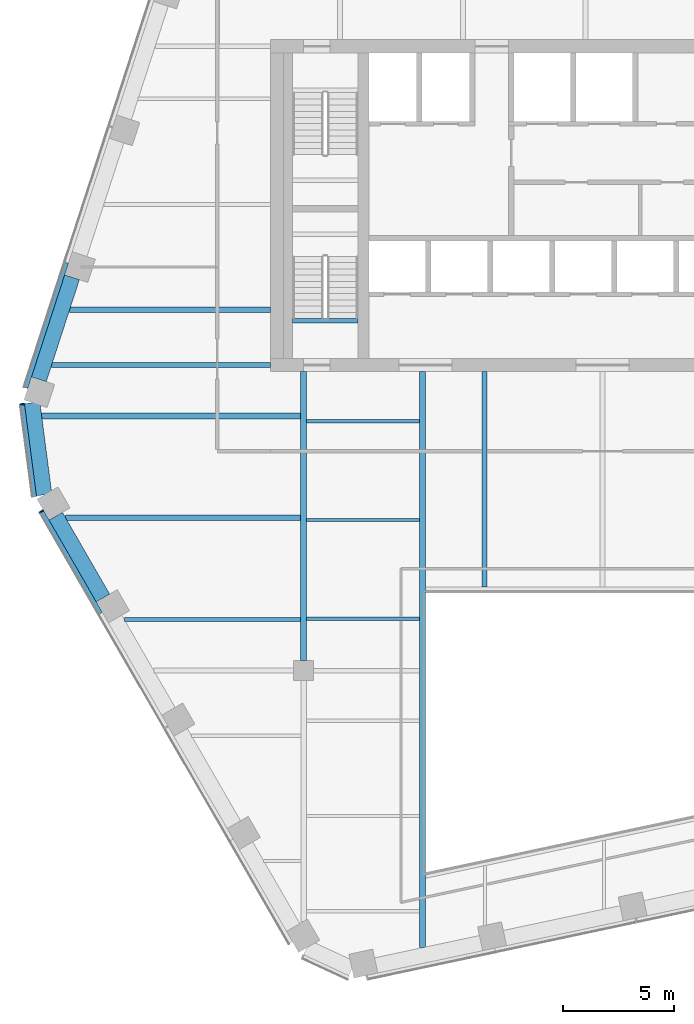
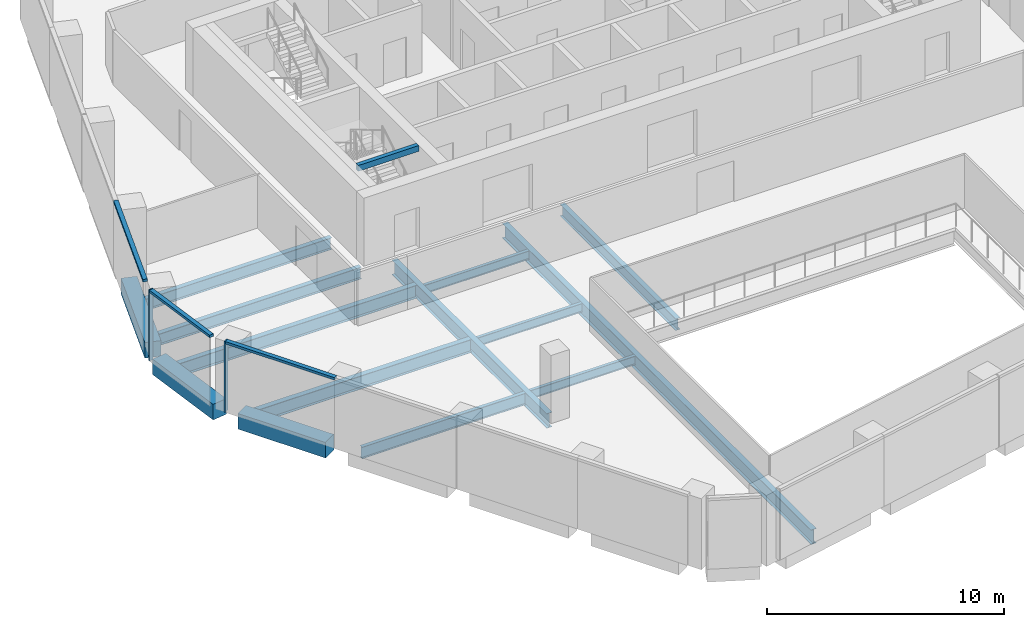
# One storey, part 3 of 15: 15 beams, 5 members, 3 elements without a shape of their own.
"""IFC4 building model written with IfcOpenShell, lengths in metres."""

import ifcopenshell
import ifcopenshell.guid

model = None  # the IFC model being written
_history = None  # IfcOwnerHistory: only IFC2X3 demands one
_inside = {}  # id of a spatial element -> (the spatial element, [elements in it])
_under = {}  # id of a project, library or spatial element -> (it, [spatial elements below it])
_declared = {}  # id of a project -> (the project, [libraries it declares])
_typed = {}  # id of a type object -> (the type object, [elements of that type])
_made_of = {}  # id of a material, layer set ... -> (it, [elements and type objects made of it])


def new_model(schema):
    """Start an empty IFC model of exactly this schema.

    Asked for "IFC4X3", IfcOpenShell would pick the latest addendum, in which some entities
    have other attributes; the version numbers below select the first issue.
    IFC2X3 requires an IfcOwnerHistory on every rooted entity: one is made here for all.
    """
    global model, _history
    if schema == "IFC4X3":
        model = ifcopenshell.file(schema_version=(4, 3, 0, 0))
    else:
        model = ifcopenshell.file(schema=schema)
    _inside.clear()
    _under.clear()
    _declared.clear()
    _typed.clear()
    _made_of.clear()
    _history = None
    if model.schema == "IFC2X3":
        org = make("IfcOrganization", Name="unknown")
        user = make(
            "IfcPersonAndOrganization",
            ThePerson=make("IfcPerson", FamilyName="unknown"),
            TheOrganization=org,
        )
        app = make(
            "IfcApplication",
            ApplicationDeveloper=org,
            Version="unknown",
            ApplicationFullName="unknown",
            ApplicationIdentifier="unknown",
        )
        _history = make(
            "IfcOwnerHistory",
            OwningUser=user,
            OwningApplication=app,
            ChangeAction="ADDED",
            CreationDate=0,
        )
    return model


def make(cls, **values):
    """One entity of the class cls with the attributes given. An attribute that is None is left unset."""
    return model.create_entity(
        cls, **{name: value for name, value in values.items() if value is not None}
    )


def rooted(cls, **values):
    """An entity with a GlobalId (a new one), such as an element, a storey or a relation."""
    return make(cls, GlobalId=ifcopenshell.guid.new(), OwnerHistory=_history, **values)


def si_unit(unit_type, name, prefix=None):
    """IfcSIUnit, for example si_unit("LENGTHUNIT", "METRE", prefix="MILLI")."""
    return make("IfcSIUnit", UnitType=unit_type, Prefix=prefix, Name=name)


def assignment(units):
    """IfcUnitAssignment: the units of a project."""
    return None if units is None else make("IfcUnitAssignment", Units=units)


def point(xyz):
    """IfcCartesianPoint."""
    return None if xyz is None else make("IfcCartesianPoint", Coordinates=xyz)


def direction(xyz):
    """IfcDirection."""
    return None if xyz is None else make("IfcDirection", DirectionRatios=xyz)


def frame(location, z_axis=None, x_axis=None):
    """IfcAxis2Placement3D, a coordinate frame: its origin and axes. An axis left out is left unset."""
    return make(
        "IfcAxis2Placement3D",
        Location=point(location),
        Axis=direction(z_axis),
        RefDirection=direction(x_axis),
    )


def frame_2d(location, x_axis=None):
    """IfcAxis2Placement2D, a coordinate frame in the plane: its origin and x axis."""
    return make(
        "IfcAxis2Placement2D", Location=point(location), RefDirection=direction(x_axis)
    )


def origin():
    """The frame at (0, 0, 0) with its axes left unset."""
    return frame((0.0, 0.0, 0.0))


def origin_2d():
    """The frame at (0, 0) in the plane with its x axis left unset."""
    return frame_2d((0.0, 0.0))


def place(relative_to, where):
    """IfcLocalPlacement: puts the frame where relative to a parent placement (None: the world)."""
    return make(
        "IfcLocalPlacement", PlacementRelTo=relative_to, RelativePlacement=where
    )


def context(
    kind, dimensions, precision=None, world=None, true_north=None, identifier=None
):
    """IfcGeometricRepresentationContext, for example the 3D "Model" context."""
    return make(
        "IfcGeometricRepresentationContext",
        ContextIdentifier=identifier,
        ContextType=kind,
        CoordinateSpaceDimension=dimensions,
        Precision=precision,
        WorldCoordinateSystem=world,
        TrueNorth=true_north,
    )


def subcontext(parent, identifier, kind, view, scale=None):
    """IfcGeometricRepresentationSubContext, for example "Body" below "Model"."""
    return make(
        "IfcGeometricRepresentationSubContext",
        ContextIdentifier=identifier,
        ContextType=kind,
        ParentContext=parent,
        TargetScale=scale,
        TargetView=view,
    )


def project(units=None, contexts=None):
    """IfcProject with its units and contexts."""
    return rooted(
        "IfcProject",
        Name="project",
        RepresentationContexts=contexts,
        UnitsInContext=assignment(units),
    )


def spatial(cls, under=None, at=None, **own):
    """A site, building, storey or space (cls), placed at a placement, below another one or the project."""
    s = rooted(cls, ObjectPlacement=at, **own)
    if under is not None:
        _under.setdefault(under.id(), (under, []))[1].append(s)
    return s


def profile(cls, at=None, kind="AREA", **sizes):
    """A parametric profile (cls). Its sizes go by their IFC names, for example OverallWidth=200.0."""
    return make(cls, ProfileType=kind, Position=at, **sizes)


def rectangle(**sizes):
    """IfcRectangleProfileDef."""
    return profile("IfcRectangleProfileDef", **sizes)


def i_section(**sizes):
    """IfcIShapeProfileDef."""
    return profile("IfcIShapeProfileDef", **sizes)


def extrude(swept, where, along, depth):
    """IfcExtrudedAreaSolid: the profile swept, set in the frame where, extruded along a direction by depth."""
    return make(
        "IfcExtrudedAreaSolid",
        SweptArea=swept,
        Position=where,
        ExtrudedDirection=direction(along),
        Depth=depth,
    )


def shape(context_of_items, identifier, shape_type, items):
    """IfcShapeRepresentation: the items that make up one representation, for example the "Body"."""
    return make(
        "IfcShapeRepresentation",
        ContextOfItems=context_of_items,
        RepresentationIdentifier=identifier,
        RepresentationType=shape_type,
        Items=items,
    )


def material(Name=None, Category=None):
    """IfcMaterial."""
    return make("IfcMaterial", Name=Name, Category=Category)


def layer(
    of_material, thickness, ventilated=None, Name=None, Category=None, Priority=None
):
    """IfcMaterialLayer: one layer of a wall or slab, of a material (None: an air gap)."""
    return make(
        "IfcMaterialLayer",
        Material=of_material,
        LayerThickness=thickness,
        IsVentilated=ventilated,
        Name=Name,
        Category=Category,
        Priority=Priority,
    )


def layer_set(layers, Name=None):
    """IfcMaterialLayerSet."""
    return make("IfcMaterialLayerSet", MaterialLayers=layers, LayerSetName=Name)


def material_profile(
    of_material, cross_section, Name=None, Category=None, Priority=None
):
    """IfcMaterialProfile: a cross section and its material."""
    return make(
        "IfcMaterialProfile",
        Name=Name,
        Material=of_material,
        Profile=cross_section,
        Priority=Priority,
        Category=Category,
    )


def profile_set(profiles, Name=None, composite=None):
    """IfcMaterialProfileSet."""
    return make(
        "IfcMaterialProfileSet",
        Name=Name,
        MaterialProfiles=profiles,
        CompositeProfile=composite,
    )


def made_of(thing, what):
    """Note that an element or type object is made of a material, layer set ...; save() writes the relation."""
    if what is not None:
        _made_of.setdefault(what.id(), (what, []))[1].append(thing)
    return thing


def type_object(cls, material=None, **own):
    """A type object (cls), such as IfcWallType, which elements share."""
    return made_of(rooted(cls, **own), material)


def element(
    cls,
    number,
    at=None,
    inside=None,
    cuts=None,
    type_object=None,
    material=None,
    context=None,
    identifier="Body",
    shape_type=None,
    held_by="IfcProductDefinitionShape",
    body=None,
    shapes=None,
    **own,
):
    """One element of the class cls, such as IfcWall. Its Tag is "e" and its number.

    at: its placement. inside: the storey or other place that contains it. cuts: it is an
    opening in that element (IfcRelVoidsElement). A single representation is given by context,
    identifier, shape_type and body (its items); several are given by shapes. held_by: the class
    of the entity that holds the representations. save() writes the other relations.
    """
    e = rooted(cls, Tag="e%d" % number, ObjectPlacement=at, **own)
    if body is not None:
        shapes = [shape(context, identifier, shape_type, body)]
    if shapes is not None:
        e.Representation = make(held_by, Representations=shapes)
    if inside is not None:
        _inside.setdefault(inside.id(), (inside, []))[1].append(e)
    if cuts is not None:
        rooted(
            "IfcRelVoidsElement", RelatingBuildingElement=cuts, RelatedOpeningElement=e
        )
    if type_object is not None:
        _typed.setdefault(type_object.id(), (type_object, []))[1].append(e)
    return made_of(e, material)


def aggregate(whole, parts):
    """IfcRelAggregates: a whole, such as a stair, and the parts it consists of."""
    return rooted("IfcRelAggregates", RelatingObject=whole, RelatedObjects=parts)


def save(model, path):
    """Write the relations noted so far, then the file.

    IfcRelAggregates (storeys below a building ...), IfcRelContainedInSpatialStructure (elements
    in a storey), IfcRelDefinesByType, IfcRelAssociatesMaterial and IfcRelDeclares: one each for
    every whole, place, type object, material and project.
    """
    for whole, parts in _under.values():
        aggregate(whole, parts)
    for where, things in _inside.values():
        rooted(
            "IfcRelContainedInSpatialStructure",
            RelatedElements=things,
            RelatingStructure=where,
        )
    for kind, things in _typed.values():
        rooted("IfcRelDefinesByType", RelatedObjects=things, RelatingType=kind)
    for what, things in _made_of.values():
        rooted("IfcRelAssociatesMaterial", RelatedObjects=things, RelatingMaterial=what)
    for by, libraries in _declared.values():
        rooted("IfcRelDeclares", RelatingContext=by, RelatedDefinitions=libraries)
    model.write(path)


model = new_model("IFC4")

# Units and contexts
model_context = context("Model", 3, precision=1e-05, world=origin(), true_north=direction((0.0, 1.0)))
body_context = subcontext(model_context, "Body", "Model", "MODEL_VIEW")
ifc_project = project(units=[si_unit("LENGTHUNIT", "METRE"), si_unit("AREAUNIT", "SQUARE_METRE"), si_unit("VOLUMEUNIT", "CUBIC_METRE"), si_unit("PLANEANGLEUNIT", "RADIAN"), si_unit("MASSUNIT", "GRAM", prefix="KILO")], contexts=[model_context])

# Site, building, storey
site_placement = place(None, origin())
site = spatial("IfcSite", under=ifc_project, at=site_placement, CompositionType="ELEMENT")
building_placement = place(site_placement, origin())
building = spatial("IfcBuilding", under=site, at=building_placement, Name="Isthmus Gate Tower", CompositionType="ELEMENT")
storey_placement = place(building_placement, frame((0.0, 0.0, 241.85009765625)))
storey = spatial("IfcBuildingStorey", under=building, at=storey_placement, Name="L61", CompositionType="ELEMENT", Elevation=241.85009765625)

# Curtain wall, member
ifc_material_1 = material(Name="Aluminium, pale champagne anodised", Category="aluminium")
ifc_layer = layer(ifc_material_1, 0.199951171875)
ifc_layer_set = layer_set([ifc_layer], Name="CW-1 UNITISED CURTAIN WALL 200 DEEP")
curtain_wall_type = type_object("IfcCurtainWallType", Name="CW-1 UNITISED CURTAIN WALL 200 DEEP", PredefinedType="NOTDEFINED", material=ifc_layer_set)
curtain_wall_1_placement = place(storey_placement, origin())
curtain_wall_1 = element("IfcCurtainWall", 1, at=curtain_wall_1_placement, inside=storey, type_object=curtain_wall_type, Name="CW-1 NW-SW L61", PredefinedType="NOTDEFINED")
ifc_material_2 = material(Name="Aluminium, pale champagne anodised", Category="aluminium")
ifc_material_profile_1 = material_profile(ifc_material_2, rectangle(XDim=0.06005859375, YDim=0.199951171875, at=origin_2d()), Name="60x200")
ifc_profile_set_1 = profile_set([ifc_material_profile_1], Name="Aluminium, pale champagne anodised")
member_type_1 = type_object("IfcMemberType", Name="CW-1 MULLION 60 X 200", PredefinedType="MULLION", material=ifc_profile_set_1)
member_1_placement = place(storey_placement, frame((-26.205322265625, -1.4658203125, 0.0), z_axis=(0.0, 0.0, 1.0), x_axis=(0.129164534, -0.991623175988, 0.0)))
member_1 = element("IfcMember", 2, at=member_1_placement, type_object=member_type_1, Name="CW-1 mullion", PredefinedType="MULLION", context=body_context, shape_type="SweptSolid", body=[
    extrude(rectangle(XDim=0.06005859375, YDim=0.199951171875, at=origin_2d()), origin(), (0.0, 0.0, 1.0), 3.64990234375),
])

curtain_wall_2_placement = place(storey_placement, origin())
curtain_wall_2 = element("IfcCurtainWall", 3, at=curtain_wall_2_placement, inside=storey, type_object=curtain_wall_type, Name="CW-1 SW L61", PredefinedType="NOTDEFINED")
member_2_placement = place(storey_placement, frame((-25.3427734375, -6.304931640625, 0.0), z_axis=(0.0, 0.0, 1.0), x_axis=(0.5, -0.866025403784, 0.0)))
member_2 = element("IfcMember", 4, at=member_2_placement, type_object=member_type_1, Name="CW-1 mullion", PredefinedType="MULLION", context=body_context, shape_type="SweptSolid", body=[
    extrude(rectangle(XDim=0.06005859375, YDim=0.199951171875, at=origin_2d()), origin(), (0.0, 0.0, 1.0), 3.64990234375),
])

curtain_wall_3_placement = place(storey_placement, origin())
curtain_wall_3 = element("IfcCurtainWall", 5, at=curtain_wall_3_placement, inside=storey, type_object=curtain_wall_type, Name="CW-1 NW L61", PredefinedType="NOTDEFINED")
ifc_material_3 = material(Name="Aluminium, pale champagne anodised", Category="aluminium")
ifc_material_profile_2 = material_profile(ifc_material_3, rectangle(XDim=0.199951171875, YDim=0.1298828125, at=origin_2d()), Name="200x130")
ifc_profile_set_2 = profile_set([ifc_material_profile_2], Name="Aluminium, pale champagne anodised")
member_type_2 = type_object("IfcMemberType", Name="CW-1 TRANSOM 200 X 130", PredefinedType="USERDEFINED", material=ifc_profile_set_2)
member_3_placement = place(storey_placement, frame((-24.217529296875, 4.92333984375, 3.5849609375), z_axis=(-0.309020108403, -0.951055504481, 0.0), x_axis=(0.951055504481, -0.309020108403, 0.0)))
member_3 = element("IfcMember", 6, at=member_3_placement, type_object=member_type_2, Name="CW-1 transom", ObjectType="TRANSOM", PredefinedType="USERDEFINED", context=body_context, shape_type="SweptSolid", body=[
    extrude(rectangle(XDim=0.199951171875, YDim=0.1298828125, at=origin_2d()), origin(), (0.0, 0.0, 1.0), 5.94189453125),
])
aggregate(curtain_wall_3, [member_3])

# Member
member_4_placement = place(storey_placement, frame((-26.20166015625, -1.495361328125, 3.5849609375), z_axis=(0.129206893318, -0.991617657527, 0.0), x_axis=(0.991617657527, 0.129206893318, 0.0)))
member_4 = element("IfcMember", 7, at=member_4_placement, type_object=member_type_2, Name="CW-1 transom", ObjectType="TRANSOM", PredefinedType="USERDEFINED", context=body_context, shape_type="SweptSolid", body=[
    extrude(rectangle(XDim=0.199951171875, YDim=0.1298828125, at=origin_2d()), origin(), (0.0, 0.0, 1.0), 4.181640625),
])

aggregate(curtain_wall_1, [member_1, member_4])

member_5_placement = place(storey_placement, frame((-25.327880859375, -6.3310546875, 3.5849609375), z_axis=(0.500022807565, -0.86601223543, 0.0), x_axis=(0.86601223543, 0.500022807565, 0.0)))
member_5 = element("IfcMember", 8, at=member_5_placement, type_object=member_type_2, Name="CW-1 transom", ObjectType="TRANSOM", PredefinedType="USERDEFINED", context=body_context, shape_type="SweptSolid", body=[
    extrude(rectangle(XDim=0.199951171875, YDim=0.1298828125, at=origin_2d()), origin(), (0.0, 0.0, 1.0), 5.300537109375),
])

aggregate(curtain_wall_2, [member_2, member_5])

# Beams
ifc_material_4 = material(Name="Concrete f'c 50 MPa", Category="concrete")
ifc_material_profile_3 = material_profile(ifc_material_4, rectangle(XDim=0.699951171875, YDim=0.800048828125, at=origin_2d()), Name="RC 700X800")
ifc_profile_set_3 = profile_set([ifc_material_profile_3], Name="Concrete f'c 50 MPa")
beam_type_1 = type_object("IfcBeamType", Name="RC SPANDREL 700 X 800", PredefinedType="SPANDREL", material=ifc_profile_set_3)
beam_1_placement = place(storey_placement, frame((-22.562744140625, -10.22021484375, -0.400146484375), z_axis=(-0.499996907167, 0.866027189425, 0.0), x_axis=(-0.866027189425, -0.499996907167, 0.0)))
element("IfcBeam", 9, at=beam_1_placement, inside=storey, type_object=beam_type_1, Name="str-spandrel-L61-19", PredefinedType="SPANDREL", context=body_context, shape_type="SweptSolid", body=[
    extrude(rectangle(XDim=0.699951171875, YDim=0.800048828125, at=origin_2d()), origin(), (0.0, 0.0, 1.0), 4.2607421875),
])
beam_2_placement = place(storey_placement, frame((-25.218017578125, -5.563232421875, -0.400146484375), z_axis=(-0.129137748309, 0.991626664608, 0.0), x_axis=(-0.991626664608, -0.129137748309, 0.0)))
element("IfcBeam", 10, at=beam_2_placement, inside=storey, type_object=beam_type_1, Name="str-spandrel-L61-20", PredefinedType="SPANDREL", context=body_context, shape_type="SweptSolid", body=[
    extrude(rectangle(XDim=0.699951171875, YDim=0.800048828125, at=origin_2d()), origin(), (0.0, 0.0, 1.0), 4.197021484375),
])
beam_3_placement = place(storey_placement, frame((-25.455810546875, -0.34375, -0.400146484375), z_axis=(0.309033626624, 0.951051111989, 0.0), x_axis=(-0.951051111989, 0.309033626624, 0.0)))
element("IfcBeam", 11, at=beam_3_placement, inside=storey, type_object=beam_type_1, Name="str-spandrel-L61-21", PredefinedType="SPANDREL", context=body_context, shape_type="SweptSolid", body=[
    extrude(rectangle(XDim=0.699951171875, YDim=0.800048828125, at=origin_2d()), origin(), (0.0, 0.0, 1.0), 4.842041015625),
])
ifc_material_5 = material(Name="Concrete f'c 40 MPa", Category="concrete")
ifc_material_profile_4 = material_profile(ifc_material_5, rectangle(XDim=0.199951171875, YDim=0.300048828125, at=origin_2d()), Name="STAIR LANDING BEAM RC 200 X 300")
ifc_profile_set_4 = profile_set([ifc_material_profile_4], Name="Concrete f'c 40 MPa")
beam_type_2 = type_object("IfcBeamType", Name="STAIR LANDING BEAM RC 200 X 300", PredefinedType="BEAM", material=ifc_profile_set_4)
beam_4_placement = place(storey_placement, frame((-14.0, 2.2998046875, 3.349853515625), z_axis=(1.0, 0.0, 0.0), x_axis=(0.0, 1.0, 0.0)))
element("IfcBeam", 12, at=beam_4_placement, inside=storey, type_object=beam_type_2, Name="L61 ST7 floor-edge seat beam", PredefinedType="BEAM", context=body_context, shape_type="SweptSolid", body=[
    extrude(rectangle(XDim=0.199951171875, YDim=0.300048828125, at=origin_2d()), origin(), (0.0, 0.0, 1.0), 2.949951171875),
])
ifc_material_6 = material(Name="Structural steel ASTM A992 Gr 50", Category="steel")
ifc_material_profile_5 = material_profile(ifc_material_6, i_section(OverallWidth=0.15234375, OverallDepth=0.45068359375, WebThickness=0.0078125, FlangeThickness=0.010986328125, at=origin_2d()), Name="W18X35")
ifc_profile_set_5 = profile_set([ifc_material_profile_5], Name="Structural steel ASTM A992 Gr 50")
beam_type_3 = type_object("IfcBeamType", Name="STEEL FLOOR BEAM W18X35", PredefinedType="JOIST", material=ifc_profile_set_5)
for number, where, z_axis, x_axis, name in (
    (13, (-13.3681640625, -11.16259765625, -0.37548828125), (1.0, 0.0, 0.0), (0.0, 1.0, 0.0), "str-beam-L61-03-00"),
    (14, (-13.3681640625, -6.697509765625, -0.37548828125), (1.0, 0.0, 0.0), (0.0, 1.0, 0.0), "str-beam-L61-03-01"),
    (15, (-13.3681640625, -2.232421875, -0.37548828125), (1.0, 0.0, 0.0), (0.0, 1.0, 0.0), "str-beam-L61-03-02"),
):
    element("IfcBeam", number, at=place(storey_placement, frame(where, z_axis=z_axis, x_axis=x_axis)), inside=storey, type_object=beam_type_3, Name=name, PredefinedType="JOIST", context=body_context, shape_type="SweptSolid", body=[
        extrude(i_section(OverallWidth=0.15234375, OverallDepth=0.45068359375, WebThickness=0.0078125, FlangeThickness=0.010986328125, at=origin_2d()), origin(), (0.0, 0.0, 1.0), 5.104736328125),
    ])
ifc_material_7 = material(Name="Structural steel ASTM A992 Gr 50", Category="steel")
ifc_material_profile_6 = material_profile(ifc_material_7, i_section(OverallWidth=0.177734375, OverallDepth=0.60009765625, WebThickness=0.009521484375, FlangeThickness=0.0126953125, at=origin_2d()), Name="W24X55")
ifc_profile_set_6 = profile_set([ifc_material_profile_6], Name="Structural steel ASTM A992 Gr 50")
beam_type_4 = type_object("IfcBeamType", Name="STEEL FLOOR BEAM W24X55", PredefinedType="JOIST", material=ifc_profile_set_6)
beam_5_placement = place(storey_placement, frame((-21.593017578125, -11.199951171875, -0.4501953125), z_axis=(1.0, 0.0, 0.0), x_axis=(0.0, 1.0, 0.0)))
element("IfcBeam", 16, at=beam_5_placement, inside=storey, type_object=beam_type_4, Name="str-beam-L61-01-00", PredefinedType="JOIST", context=body_context, shape_type="SweptSolid", body=[
    extrude(i_section(OverallWidth=0.177734375, OverallDepth=0.60009765625, WebThickness=0.009521484375, FlangeThickness=0.0126953125, at=origin_2d()), origin(), (0.0, 0.0, 1.0), 7.961181640625),
])
ifc_material_8 = material(Name="Structural steel ASTM A992 Gr 50", Category="steel")
ifc_material_profile_7 = material_profile(ifc_material_8, i_section(OverallWidth=0.228515625, OverallDepth=0.603271484375, WebThickness=0.010986328125, FlangeThickness=0.014404296875, at=origin_2d()), Name="W24X68")
ifc_profile_set_7 = profile_set([ifc_material_profile_7], Name="Structural steel ASTM A992 Gr 50")
beam_type_5 = type_object("IfcBeamType", Name="STEEL FLOOR BEAM W24X68", PredefinedType="JOIST", material=ifc_profile_set_7)
beam_6_placement = place(storey_placement, frame((-24.06787109375, 2.795166015625, -0.45166015625), z_axis=(1.0, 0.0, 0.0), x_axis=(0.0, 1.0, 0.0)))
element("IfcBeam", 17, at=beam_6_placement, inside=storey, type_object=beam_type_5, Name="str-beam-L61-00-00", PredefinedType="JOIST", context=body_context, shape_type="SweptSolid", body=[
    extrude(i_section(OverallWidth=0.228515625, OverallDepth=0.603271484375, WebThickness=0.010986328125, FlangeThickness=0.014404296875, at=origin_2d()), origin(), (0.0, 0.0, 1.0), 9.06787109375),
])
beam_7_placement = place(storey_placement, frame((-5.333251953125, -9.7333984375, -0.45166015625), z_axis=(0.0, 1.0, 0.0), x_axis=(-1.0, 0.0, 0.0)))
element("IfcBeam", 18, at=beam_7_placement, inside=storey, type_object=beam_type_5, Name="str-beam-L61-07-00", PredefinedType="JOIST", context=body_context, shape_type="SweptSolid", body=[
    extrude(i_section(OverallWidth=0.228515625, OverallDepth=0.603271484375, WebThickness=0.010986328125, FlangeThickness=0.014404296875, at=origin_2d()), origin(), (0.0, 0.0, 1.0), 9.7333984375),
])
ifc_material_9 = material(Name="Structural steel ASTM A992 Gr 50", Category="steel")
ifc_material_profile_8 = material_profile(ifc_material_9, i_section(OverallWidth=0.25390625, OverallDepth=0.679443359375, WebThickness=0.010986328125, FlangeThickness=0.015869140625, at=origin_2d()), Name="W27X84")
ifc_profile_set_8 = profile_set([ifc_material_profile_8], Name="Structural steel ASTM A992 Gr 50")
beam_type_6 = type_object("IfcBeamType", Name="STEEL FLOOR BEAM W27X84", PredefinedType="JOIST", material=ifc_profile_set_8)
beam_8_placement = place(storey_placement, frame((-24.248779296875, -6.60009765625, -0.48974609375), z_axis=(1.0, 0.0, 0.0), x_axis=(0.0, 1.0, 0.0)))
element("IfcBeam", 19, at=beam_8_placement, inside=storey, type_object=beam_type_6, Name="str-beam-L61-01-01", PredefinedType="JOIST", context=body_context, shape_type="SweptSolid", body=[
    extrude(i_section(OverallWidth=0.25390625, OverallDepth=0.679443359375, WebThickness=0.010986328125, FlangeThickness=0.015869140625, at=origin_2d()), origin(), (0.0, 0.0, 1.0), 10.616943359375),
])
beam_9_placement = place(storey_placement, frame((-25.3291015625, -2.0, -0.48974609375), z_axis=(1.0, 0.0, 0.0), x_axis=(0.0, 1.0, 0.0)))
element("IfcBeam", 20, at=beam_9_placement, inside=storey, type_object=beam_type_6, Name="str-beam-L61-01-02", PredefinedType="JOIST", context=body_context, shape_type="SweptSolid", body=[
    extrude(i_section(OverallWidth=0.25390625, OverallDepth=0.679443359375, WebThickness=0.010986328125, FlangeThickness=0.015869140625, at=origin_2d()), origin(), (0.0, 0.0, 1.0), 11.697265625),
])
ifc_material_10 = material(Name="Structural steel ASTM A992 Gr 50", Category="steel")
ifc_material_profile_9 = material_profile(ifc_material_10, i_section(OverallWidth=0.228515625, OverallDepth=0.6064453125, WebThickness=0.010986328125, FlangeThickness=0.017578125, at=origin_2d()), Name="W24X76")
ifc_profile_set_9 = profile_set([ifc_material_profile_9], Name="Structural steel ASTM A992 Gr 50")
beam_type_7 = type_object("IfcBeamType", Name="STEEL GIRDER W24X76", PredefinedType="BEAM", material=ifc_profile_set_9)
beam_10_placement = place(storey_placement, frame((-15.0, 0.300048828125, -0.453369140625), z_axis=(-1.0, 0.0, 0.0), x_axis=(0.0, -1.0, 0.0)))
element("IfcBeam", 21, at=beam_10_placement, inside=storey, type_object=beam_type_7, Name="str-girder-L61-09", PredefinedType="BEAM", context=body_context, shape_type="SweptSolid", body=[
    extrude(i_section(OverallWidth=0.228515625, OverallDepth=0.6064453125, WebThickness=0.010986328125, FlangeThickness=0.017578125, at=origin_2d()), origin(), (0.0, 0.0, 1.0), 9.878662109375),
])
ifc_material_11 = material(Name="Structural steel ASTM A992 Gr 50", Category="steel")
ifc_material_profile_10 = material_profile(ifc_material_11, i_section(OverallWidth=0.263427734375, OverallDepth=0.749267578125, WebThickness=0.0126953125, FlangeThickness=0.015869140625, at=origin_2d()), Name="W30X90")
ifc_profile_set_10 = profile_set([ifc_material_profile_10], Name="Structural steel ASTM A992 Gr 50")
beam_type_8 = type_object("IfcBeamType", Name="STEEL GIRDER W30X90", PredefinedType="BEAM", material=ifc_profile_set_10)
beam_11_placement = place(storey_placement, frame((-13.5, -13.050048828125, -0.524658203125), z_axis=(0.0, 1.0, 0.0), x_axis=(-1.0, 0.0, 0.0)))
element("IfcBeam", 22, at=beam_11_placement, inside=storey, type_object=beam_type_8, Name="str-girder-L61-06", PredefinedType="BEAM", context=body_context, shape_type="SweptSolid", body=[
    extrude(i_section(OverallWidth=0.263427734375, OverallDepth=0.749267578125, WebThickness=0.0126953125, FlangeThickness=0.015869140625, at=origin_2d()), origin(), (0.0, 0.0, 1.0), 13.050048828125),
])
ifc_material_12 = material(Name="Structural steel ASTM A992 Gr 50", Category="steel")
ifc_material_profile_11 = material_profile(ifc_material_12, i_section(OverallWidth=0.263427734375, OverallDepth=0.749267578125, WebThickness=0.0126953125, FlangeThickness=0.015869140625, at=origin_2d()), Name="W30X90")
ifc_profile_set_11 = profile_set([ifc_material_profile_11], Name="Structural steel ASTM A992 Gr 50")
beam_type_9 = type_object("IfcBeamType", Name="STEEL TRIMMER W30X90", PredefinedType="BEAM", material=ifc_profile_set_11)
beam_12_placement = place(storey_placement, frame((-8.1318359375, 0.0, -0.524658203125), z_axis=(0.0, -1.0, 0.0), x_axis=(1.0, 0.0, 0.0)))
element("IfcBeam", 23, at=beam_12_placement, inside=storey, type_object=beam_type_9, Name="str-trimmer-L61-02", PredefinedType="BEAM", context=body_context, shape_type="SweptSolid", body=[
    extrude(i_section(OverallWidth=0.263427734375, OverallDepth=0.749267578125, WebThickness=0.0126953125, FlangeThickness=0.015869140625, at=origin_2d()), origin(), (0.0, 0.0, 1.0), 26.012939453125),
])

save(model, "model.ifc")
